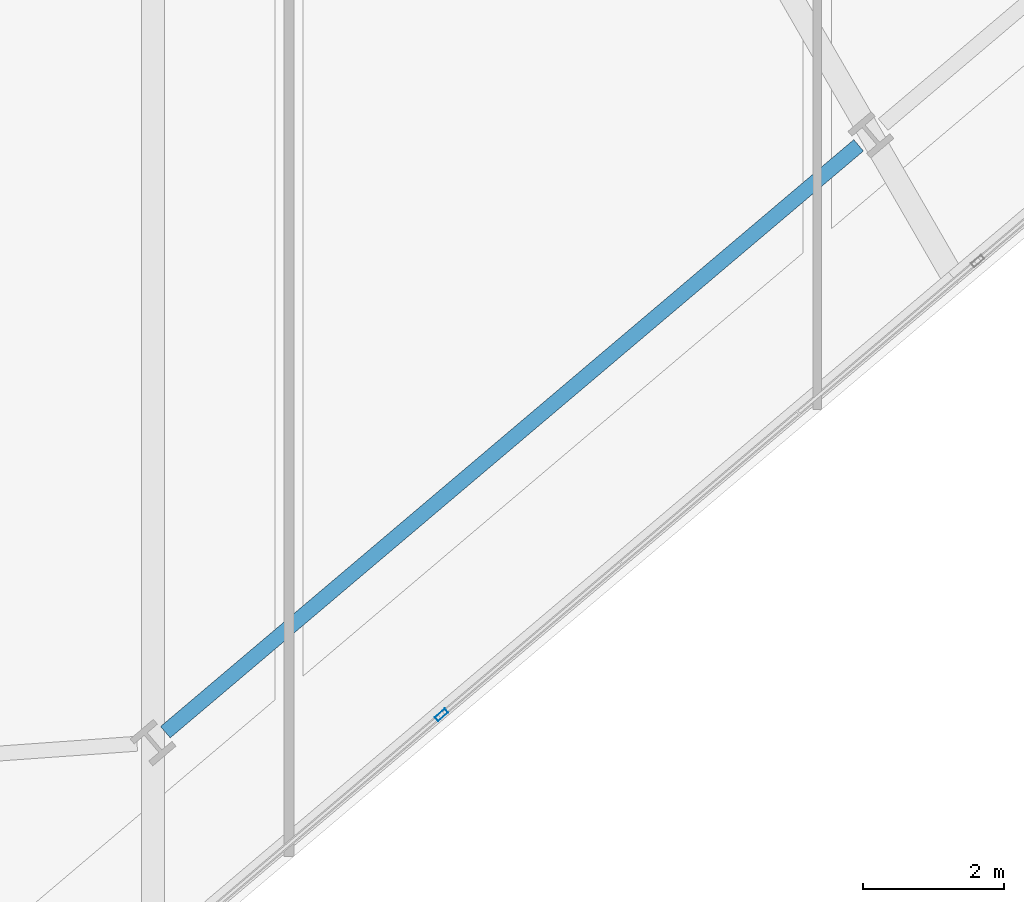
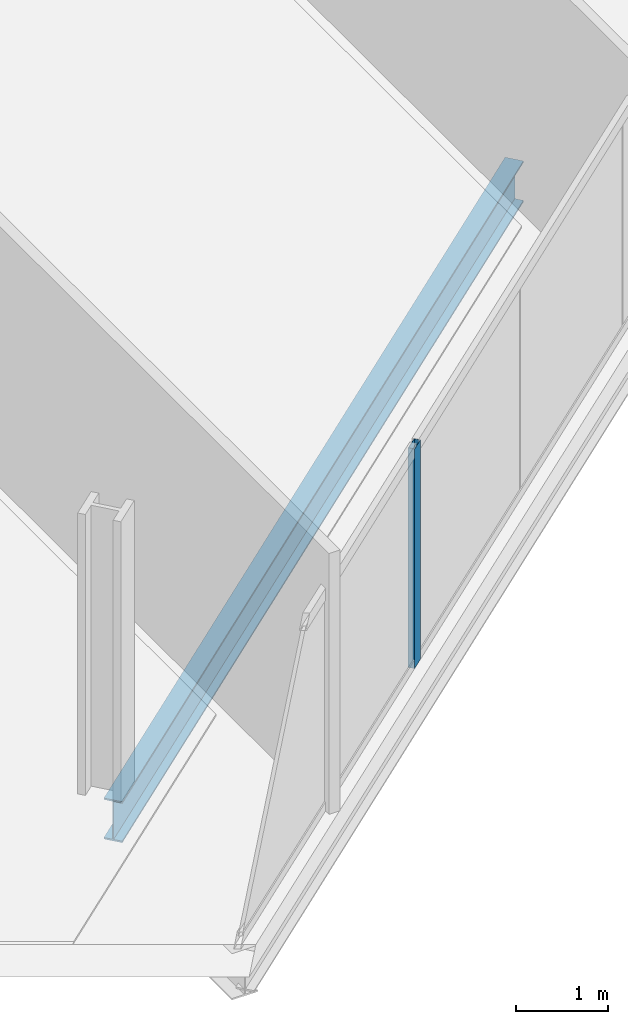
# One storey, part 8 of 34: 1 beam, 1 member, 1 element without a shape of its own.
"""IFC4 building model written with IfcOpenShell, lengths in metres."""

import ifcopenshell
import ifcopenshell.guid

model = None  # the IFC model being written
_history = None  # IfcOwnerHistory: only IFC2X3 demands one
_inside = {}  # id of a spatial element -> (the spatial element, [elements in it])
_under = {}  # id of a project, library or spatial element -> (it, [spatial elements below it])
_declared = {}  # id of a project -> (the project, [libraries it declares])
_typed = {}  # id of a type object -> (the type object, [elements of that type])
_made_of = {}  # id of a material, layer set ... -> (it, [elements and type objects made of it])


def new_model(schema):
    """Start an empty IFC model of exactly this schema.

    Asked for "IFC4X3", IfcOpenShell would pick the latest addendum, in which some entities
    have other attributes; the version numbers below select the first issue.
    IFC2X3 requires an IfcOwnerHistory on every rooted entity: one is made here for all.
    """
    global model, _history
    if schema == "IFC4X3":
        model = ifcopenshell.file(schema_version=(4, 3, 0, 0))
    else:
        model = ifcopenshell.file(schema=schema)
    _inside.clear()
    _under.clear()
    _declared.clear()
    _typed.clear()
    _made_of.clear()
    _history = None
    if model.schema == "IFC2X3":
        org = make("IfcOrganization", Name="unknown")
        user = make(
            "IfcPersonAndOrganization",
            ThePerson=make("IfcPerson", FamilyName="unknown"),
            TheOrganization=org,
        )
        app = make(
            "IfcApplication",
            ApplicationDeveloper=org,
            Version="unknown",
            ApplicationFullName="unknown",
            ApplicationIdentifier="unknown",
        )
        _history = make(
            "IfcOwnerHistory",
            OwningUser=user,
            OwningApplication=app,
            ChangeAction="ADDED",
            CreationDate=0,
        )
    return model


def make(cls, **values):
    """One entity of the class cls with the attributes given. An attribute that is None is left unset."""
    return model.create_entity(
        cls, **{name: value for name, value in values.items() if value is not None}
    )


def rooted(cls, **values):
    """An entity with a GlobalId (a new one), such as an element, a storey or a relation."""
    return make(cls, GlobalId=ifcopenshell.guid.new(), OwnerHistory=_history, **values)


def si_unit(unit_type, name, prefix=None):
    """IfcSIUnit, for example si_unit("LENGTHUNIT", "METRE", prefix="MILLI")."""
    return make("IfcSIUnit", UnitType=unit_type, Prefix=prefix, Name=name)


def assignment(units):
    """IfcUnitAssignment: the units of a project."""
    return None if units is None else make("IfcUnitAssignment", Units=units)


def point(xyz):
    """IfcCartesianPoint."""
    return None if xyz is None else make("IfcCartesianPoint", Coordinates=xyz)


def direction(xyz):
    """IfcDirection."""
    return None if xyz is None else make("IfcDirection", DirectionRatios=xyz)


def frame(location, z_axis=None, x_axis=None):
    """IfcAxis2Placement3D, a coordinate frame: its origin and axes. An axis left out is left unset."""
    return make(
        "IfcAxis2Placement3D",
        Location=point(location),
        Axis=direction(z_axis),
        RefDirection=direction(x_axis),
    )


def frame_2d(location, x_axis=None):
    """IfcAxis2Placement2D, a coordinate frame in the plane: its origin and x axis."""
    return make(
        "IfcAxis2Placement2D", Location=point(location), RefDirection=direction(x_axis)
    )


def origin():
    """The frame at (0, 0, 0) with its axes left unset."""
    return frame((0.0, 0.0, 0.0))


def origin_2d():
    """The frame at (0, 0) in the plane with its x axis left unset."""
    return frame_2d((0.0, 0.0))


def place(relative_to, where):
    """IfcLocalPlacement: puts the frame where relative to a parent placement (None: the world)."""
    return make(
        "IfcLocalPlacement", PlacementRelTo=relative_to, RelativePlacement=where
    )


def context(
    kind, dimensions, precision=None, world=None, true_north=None, identifier=None
):
    """IfcGeometricRepresentationContext, for example the 3D "Model" context."""
    return make(
        "IfcGeometricRepresentationContext",
        ContextIdentifier=identifier,
        ContextType=kind,
        CoordinateSpaceDimension=dimensions,
        Precision=precision,
        WorldCoordinateSystem=world,
        TrueNorth=true_north,
    )


def subcontext(parent, identifier, kind, view, scale=None):
    """IfcGeometricRepresentationSubContext, for example "Body" below "Model"."""
    return make(
        "IfcGeometricRepresentationSubContext",
        ContextIdentifier=identifier,
        ContextType=kind,
        ParentContext=parent,
        TargetScale=scale,
        TargetView=view,
    )


def project(units=None, contexts=None):
    """IfcProject with its units and contexts."""
    return rooted(
        "IfcProject",
        Name="project",
        RepresentationContexts=contexts,
        UnitsInContext=assignment(units),
    )


def spatial(cls, under=None, at=None, **own):
    """A site, building, storey or space (cls), placed at a placement, below another one or the project."""
    s = rooted(cls, ObjectPlacement=at, **own)
    if under is not None:
        _under.setdefault(under.id(), (under, []))[1].append(s)
    return s


def profile(cls, at=None, kind="AREA", **sizes):
    """A parametric profile (cls). Its sizes go by their IFC names, for example OverallWidth=200.0."""
    return make(cls, ProfileType=kind, Position=at, **sizes)


def hollow_rectangle(**sizes):
    """IfcRectangleHollowProfileDef."""
    return profile("IfcRectangleHollowProfileDef", **sizes)


def i_section(**sizes):
    """IfcIShapeProfileDef."""
    return profile("IfcIShapeProfileDef", **sizes)


def extrude(swept, where, along, depth):
    """IfcExtrudedAreaSolid: the profile swept, set in the frame where, extruded along a direction by depth."""
    return make(
        "IfcExtrudedAreaSolid",
        SweptArea=swept,
        Position=where,
        ExtrudedDirection=direction(along),
        Depth=depth,
    )


def shape(context_of_items, identifier, shape_type, items):
    """IfcShapeRepresentation: the items that make up one representation, for example the "Body"."""
    return make(
        "IfcShapeRepresentation",
        ContextOfItems=context_of_items,
        RepresentationIdentifier=identifier,
        RepresentationType=shape_type,
        Items=items,
    )


def material(Name=None, Category=None):
    """IfcMaterial."""
    return make("IfcMaterial", Name=Name, Category=Category)


def material_profile(
    of_material, cross_section, Name=None, Category=None, Priority=None
):
    """IfcMaterialProfile: a cross section and its material."""
    return make(
        "IfcMaterialProfile",
        Name=Name,
        Material=of_material,
        Profile=cross_section,
        Priority=Priority,
        Category=Category,
    )


def profile_set(profiles, Name=None, composite=None):
    """IfcMaterialProfileSet."""
    return make(
        "IfcMaterialProfileSet",
        Name=Name,
        MaterialProfiles=profiles,
        CompositeProfile=composite,
    )


def made_of(thing, what):
    """Note that an element or type object is made of a material, layer set ...; save() writes the relation."""
    if what is not None:
        _made_of.setdefault(what.id(), (what, []))[1].append(thing)
    return thing


def type_object(cls, material=None, **own):
    """A type object (cls), such as IfcWallType, which elements share."""
    return made_of(rooted(cls, **own), material)


def element(
    cls,
    number,
    at=None,
    inside=None,
    cuts=None,
    type_object=None,
    material=None,
    context=None,
    identifier="Body",
    shape_type=None,
    held_by="IfcProductDefinitionShape",
    body=None,
    shapes=None,
    **own,
):
    """One element of the class cls, such as IfcWall. Its Tag is "e" and its number.

    at: its placement. inside: the storey or other place that contains it. cuts: it is an
    opening in that element (IfcRelVoidsElement). A single representation is given by context,
    identifier, shape_type and body (its items); several are given by shapes. held_by: the class
    of the entity that holds the representations. save() writes the other relations.
    """
    e = rooted(cls, Tag="e%d" % number, ObjectPlacement=at, **own)
    if body is not None:
        shapes = [shape(context, identifier, shape_type, body)]
    if shapes is not None:
        e.Representation = make(held_by, Representations=shapes)
    if inside is not None:
        _inside.setdefault(inside.id(), (inside, []))[1].append(e)
    if cuts is not None:
        rooted(
            "IfcRelVoidsElement", RelatingBuildingElement=cuts, RelatedOpeningElement=e
        )
    if type_object is not None:
        _typed.setdefault(type_object.id(), (type_object, []))[1].append(e)
    return made_of(e, material)


def aggregate(whole, parts):
    """IfcRelAggregates: a whole, such as a stair, and the parts it consists of."""
    return rooted("IfcRelAggregates", RelatingObject=whole, RelatedObjects=parts)


def save(model, path):
    """Write the relations noted so far, then the file.

    IfcRelAggregates (storeys below a building ...), IfcRelContainedInSpatialStructure (elements
    in a storey), IfcRelDefinesByType, IfcRelAssociatesMaterial and IfcRelDeclares: one each for
    every whole, place, type object, material and project.
    """
    for whole, parts in _under.values():
        aggregate(whole, parts)
    for where, things in _inside.values():
        rooted(
            "IfcRelContainedInSpatialStructure",
            RelatedElements=things,
            RelatingStructure=where,
        )
    for kind, things in _typed.values():
        rooted("IfcRelDefinesByType", RelatedObjects=things, RelatingType=kind)
    for what, things in _made_of.values():
        rooted("IfcRelAssociatesMaterial", RelatedObjects=things, RelatingMaterial=what)
    for by, libraries in _declared.values():
        rooted("IfcRelDeclares", RelatingContext=by, RelatedDefinitions=libraries)
    model.write(path)


model = new_model("IFC4")

# Units and contexts
model_context = context("Model", 3, precision=1e-05, world=origin(), true_north=direction((0.0, 1.0)))
body_context = subcontext(model_context, "Body", "Model", "MODEL_VIEW")
ifc_project = project(units=[si_unit("LENGTHUNIT", "METRE"), si_unit("AREAUNIT", "SQUARE_METRE"), si_unit("VOLUMEUNIT", "CUBIC_METRE"), si_unit("PLANEANGLEUNIT", "RADIAN"), si_unit("MASSUNIT", "GRAM", prefix="KILO")], contexts=[model_context])

# Site, building, storey
site_placement = place(None, origin())
site = spatial("IfcSite", under=ifc_project, at=site_placement, CompositionType="ELEMENT")
building_placement = place(site_placement, origin())
building = spatial("IfcBuilding", under=site, at=building_placement, Name="Haldenkirk Collegiate Tower", CompositionType="ELEMENT")
storey_placement = place(building_placement, frame((0.0, 0.0, 163.199951171875)))
storey = spatial("IfcBuildingStorey", under=building, at=storey_placement, Name="L40", CompositionType="ELEMENT", Elevation=163.199951171875)

# Beam
ifc_material_1 = material(Name="Steel ASTM A992 Grade 50", Category="steel")
ifc_material_profile_1 = material_profile(ifc_material_1, i_section(OverallWidth=0.2119140625, OverallDepth=0.5439453125, WebThickness=0.01318359375, FlangeThickness=0.021240234375, at=origin_2d()), Name="W21X83")
ifc_profile_set_1 = profile_set([ifc_material_profile_1], Name="Steel ASTM A992 Grade 50")
beam_type = type_object("IfcBeamType", Name="BM-SPANDREL-W21X83", PredefinedType="SPANDREL", material=ifc_profile_set_1)
beam_placement = place(storey_placement, frame((39.743408203125, 1.261474609375, -0.56201171875), z_axis=(0.763233335078, 0.646122957514, 0.0), x_axis=(-0.646122957514, 0.763233335078, 0.0)))
element("IfcBeam", 1, at=beam_placement, inside=storey, type_object=beam_type, Name="L40 perimeter spandrel beam 02", PredefinedType="SPANDREL", context=body_context, shape_type="SweptSolid", body=[
    extrude(i_section(OverallWidth=0.2119140625, OverallDepth=0.5439453125, WebThickness=0.01318359375, FlangeThickness=0.021240234375, at=origin_2d()), origin(), (0.0, 0.0, 1.0), 12.898193359375),
])

# Curtain wall, member
ifc_material_2 = material(Name="Anodised architectural bronze aluminium", Category="aluminium")
curtain_wall_type = type_object("IfcCurtainWallType", Name="CW-SYS2-CONCAVE", PredefinedType="USERDEFINED", material=ifc_material_2)
curtain_wall_placement = place(storey_placement, origin())
curtain_wall = element("IfcCurtainWall", 2, at=curtain_wall_placement, inside=storey, type_object=curtain_wall_type, Name="L40 South concave recessed bronze-anodised curtain wall", ObjectType="UNITISED CURTAIN WALL", PredefinedType="USERDEFINED")
ifc_material_profile_2 = material_profile(ifc_material_2, hollow_rectangle(XDim=0.074951171875, YDim=0.18994140625, WallThickness=0.0048828125, at=origin_2d()), Name="CW-MUL-02")
ifc_profile_set_2 = profile_set([ifc_material_profile_2], Name="Anodised architectural bronze aluminium")
member_type = type_object("IfcMemberType", Name="CW-MUL-02", PredefinedType="MULLION", material=ifc_profile_set_2)
member_placement = place(storey_placement, frame((43.664306640625, 1.50830078125, 0.0), z_axis=(0.0, 0.0, 1.0), x_axis=(0.646124454254, -0.763232067994, 0.0)))
member = element("IfcMember", 3, at=member_placement, type_object=member_type, Name="CW-02 mullion 4", PredefinedType="MULLION", context=body_context, shape_type="SweptSolid", body=[
    extrude(hollow_rectangle(XDim=0.074951171875, YDim=0.18994140625, WallThickness=0.0048828125, at=origin_2d()), origin(), (0.0, 0.0, 1.0), 2.9111328125),
])
aggregate(curtain_wall, [member])

save(model, "model.ifc")
